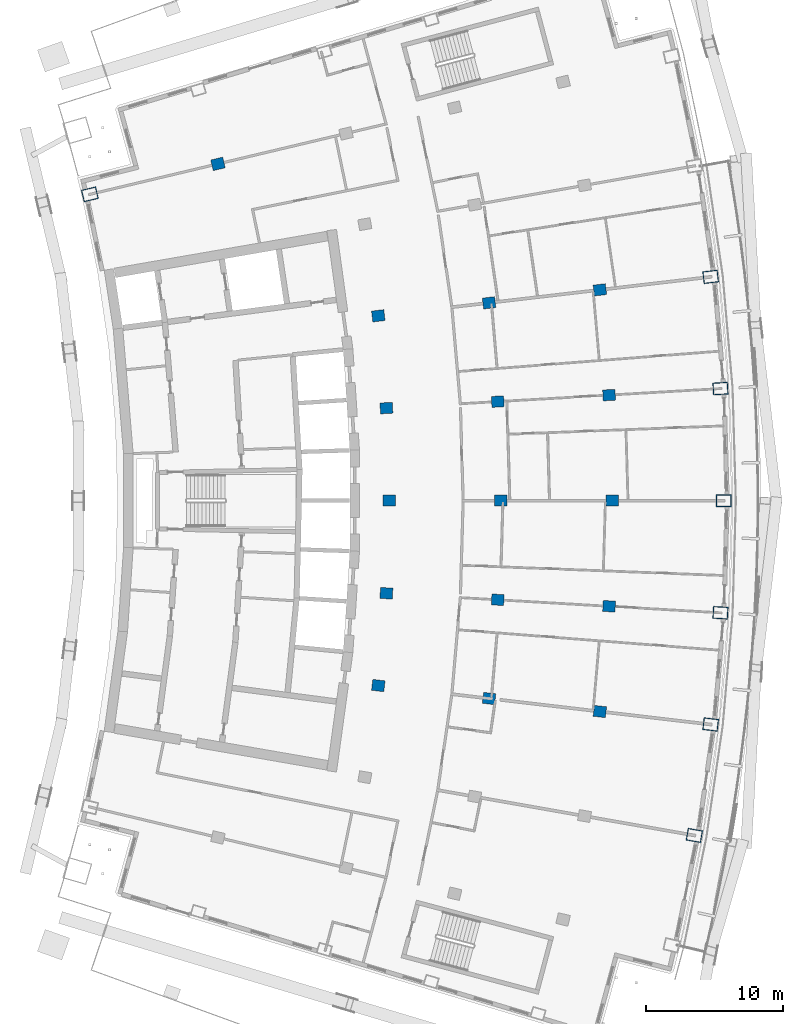
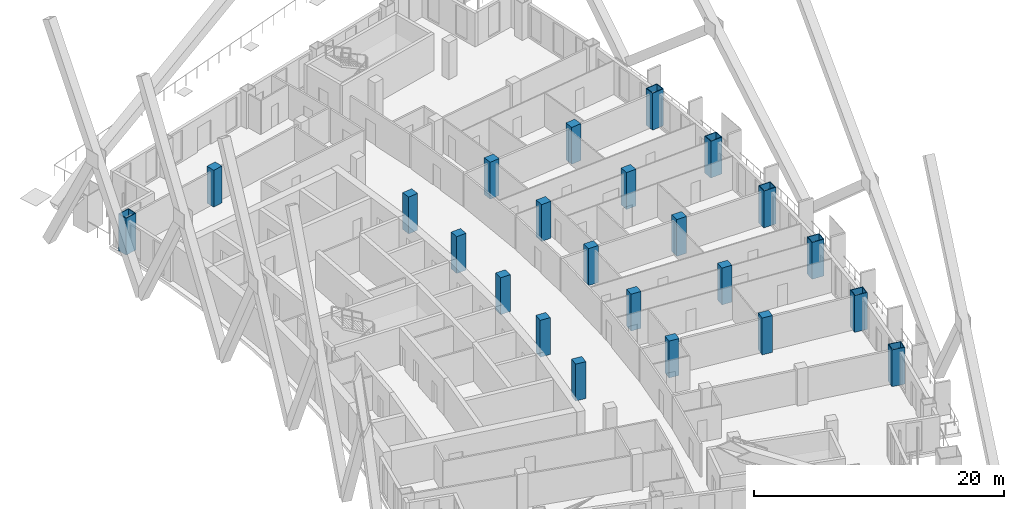
# One storey, part 5 of 20: 23 columns.
"""IFC4 building model written with IfcOpenShell, lengths in metres."""

from ifc_helpers import new_model, si_unit, direction, frame, origin, origin_2d, place, context, subcontext, project, spatial, rectangle, hollow_rectangle, extrude, material, material_profile, profile_set, type_object, element, save


model = new_model("IFC4")

# Units and contexts
model_context = context("Model", 3, precision=1e-05, world=origin(), true_north=direction((0.0, 1.0)))
body_context = subcontext(model_context, "Body", "Model", "MODEL_VIEW")
ifc_project = project(units=[si_unit("LENGTHUNIT", "METRE"), si_unit("AREAUNIT", "SQUARE_METRE"), si_unit("VOLUMEUNIT", "CUBIC_METRE"), si_unit("PLANEANGLEUNIT", "RADIAN"), si_unit("MASSUNIT", "GRAM", prefix="KILO")], contexts=[model_context])

# Site, building, storey
site_placement = place(None, origin())
site = spatial("IfcSite", under=ifc_project, at=site_placement, CompositionType="ELEMENT")
building_placement = place(site_placement, origin())
building = spatial("IfcBuilding", under=site, at=building_placement, Name="Alderwake Tower", CompositionType="ELEMENT")
storey_placement = place(building_placement, frame((0.0, 0.0, 138.800048828125)))
storey = spatial("IfcBuildingStorey", under=building, at=storey_placement, Name="L33", CompositionType="ELEMENT", Elevation=138.800048828125)

# Columns
ifc_material_1 = material(Name="Concrete C70/85", Category="concrete")
ifc_material_profile_1 = material_profile(ifc_material_1, rectangle(XDim=0.800048828125, YDim=0.89990234375, at=origin_2d()), Name="RC 900X800")
ifc_profile_set_1 = profile_set([ifc_material_profile_1], Name="Concrete C70/85")
column_type_1 = type_object("IfcColumnType", Name="Interior column Z3", PredefinedType="COLUMN", material=ifc_profile_set_1)
for number, where, z_axis, x_axis, name in (
    (1, (35.0126953125, 47.5205078125, 0.0), (0.0, 0.0, 1.0), (0.116402054316, 0.993202175668, 0.0), "Column R05-C2"),
    (2, (43.0908203125, 46.573974609375, 0.0), (0.0, 0.0, 1.0), (0.116402054316, 0.993202175668, 0.0), "Column R05-C3"),
    (3, (51.1689453125, 45.627197265625, 0.0), (0.0, 0.0, 1.0), (0.116402054316, 0.993202175668, 0.0), "Column R05-C4"),
    (4, (35.60302734375, 54.248779296875, 0.0), (0.0, 0.0, 1.0), (0.058301061284, 0.998299046505, 0.0), "Column R06-C2"),
    (5, (43.722412109375, 53.774658203125, 0.0), (0.0, 0.0, 1.0), (0.058299318924, 0.998299148258, 0.0), "Column R06-C3"),
    (6, (51.842041015625, 53.300537109375, 0.0), (0.0, 0.0, 1.0), (0.058299318924, 0.998299148258, 0.0), "Column R06-C4"),
    (7, (35.800048828125, 61.0, 0.0), (0.0, 0.0, 1.0), (0.0, 1.0, 0.0), "Column R07-C2"),
    (8, (43.933349609375, 61.0, 0.0), (0.0, 0.0, 1.0), (0.0, 1.0, 0.0), "Column R07-C3"),
    (9, (52.066650390625, 61.0, 0.0), (0.0, 0.0, 1.0), (0.0, 1.0, 0.0), "Column R07-C4"),
    (10, (35.60302734375, 67.751220703125, 0.0), (0.0, 0.0, 1.0), (-0.058301061284, 0.998299046505, 0.0), "Column R08-C2"),
    (11, (43.722412109375, 68.225341796875, 0.0), (0.0, 0.0, 1.0), (-0.058299318924, 0.998299148258, 0.0), "Column R08-C3"),
    (12, (51.842041015625, 68.699462890625, 0.0), (0.0, 0.0, 1.0), (-0.058299318924, 0.998299148258, 0.0), "Column R08-C4"),
    (13, (35.0126953125, 74.4794921875, 0.0), (0.0, 0.0, 1.0), (-0.116402054316, 0.993202175668, 0.0), "Column R09-C2"),
    (14, (43.0908203125, 75.426025390625, 0.0), (0.0, 0.0, 1.0), (-0.116402054316, 0.993202175668, 0.0), "Column R09-C3"),
    (15, (51.1689453125, 76.372802734375, 0.0), (0.0, 0.0, 1.0), (-0.116402054316, 0.993202175668, 0.0), "Column R09-C4"),
    (16, (23.322021484375, 85.555908203125, 0.0), (0.0, 0.0, 1.0), (-0.231221547198, 0.972901123502, 0.0), "Column R11-C1"),
):
    element("IfcColumn", number, at=place(storey_placement, frame(where, z_axis=z_axis, x_axis=x_axis)), inside=storey, type_object=column_type_1, Name=name, PredefinedType="COLUMN", context=body_context, shape_type="SweptSolid", body=[
        extrude(rectangle(XDim=0.800048828125, YDim=0.89990234375, at=origin_2d()), origin(), (0.0, 0.0, 1.0), 3.599853515625),
    ])
ifc_material_2 = material(Name="Steel ASTM A572 Grade 50 concrete filled C70/85", Category="concrete")
ifc_material_profile_2 = material_profile(ifc_material_2, hollow_rectangle(XDim=0.89990234375, YDim=1.10009765625, WallThickness=0.06005859375, at=origin_2d()), Name="BOX 1100X900X60")
ifc_profile_set_2 = profile_set([ifc_material_profile_2], Name="Steel ASTM A572 Grade 50 concrete filled C70/85")
column_type_2 = type_object("IfcColumnType", Name="Perimeter column Z3", PredefinedType="COLUMN", material=ifc_profile_set_2)
for number, where, z_axis, x_axis, name in (
    (17, (58.05859375, 36.590087890625, 0.0), (0.0, 0.0, 1.0), (0.174108800747, 0.984726421654, 0.0), "Column R04-C5"),
    (18, (59.246826171875, 44.680419921875, 0.0), (0.0, 0.0, 1.0), (0.116402054316, 0.993202175668, 0.0), "Column R05-C5"),
    (19, (59.96142578125, 52.826416015625, 0.0), (0.0, 0.0, 1.0), (0.058301061284, 0.998299046505, 0.0), "Column R06-C5"),
    (20, (60.199951171875, 61.0, 0.0), (0.0, 0.0, 1.0), (0.0, 1.0, 0.0), "Column R07-C5"),
    (21, (59.96142578125, 69.173583984375, 0.0), (0.0, 0.0, 1.0), (-0.058301061284, 0.998299046505, 0.0), "Column R08-C5"),
    (22, (59.246826171875, 77.319580078125, 0.0), (0.0, 0.0, 1.0), (-0.116402054316, 0.993202175668, 0.0), "Column R09-C5"),
    (23, (13.982177734375, 83.3359375, 0.0), (0.0, 0.0, 1.0), (-0.231221547198, 0.972901123502, 0.0), "Column R11-C0"),
):
    element("IfcColumn", number, at=place(storey_placement, frame(where, z_axis=z_axis, x_axis=x_axis)), inside=storey, type_object=column_type_2, Name=name, PredefinedType="COLUMN", context=body_context, shape_type="SweptSolid", body=[
        extrude(hollow_rectangle(XDim=0.89990234375, YDim=1.10009765625, WallThickness=0.06005859375, at=origin_2d()), origin(), (0.0, 0.0, 1.0), 3.599853515625),
    ])

save(model, "model.ifc")
